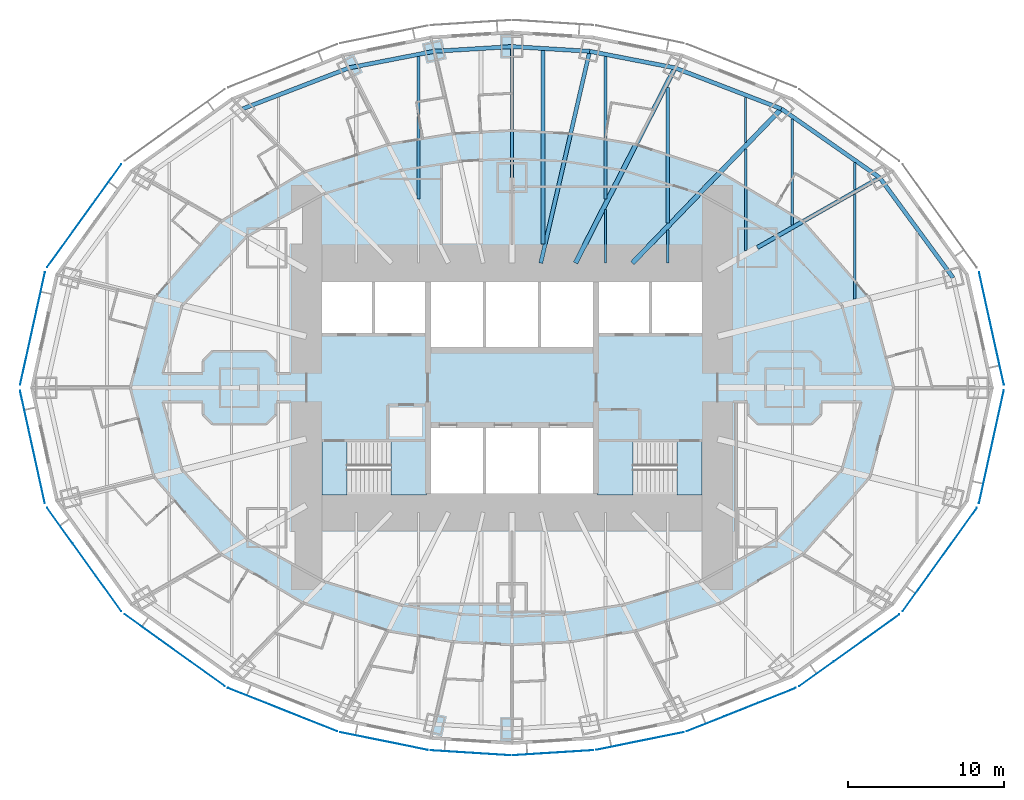
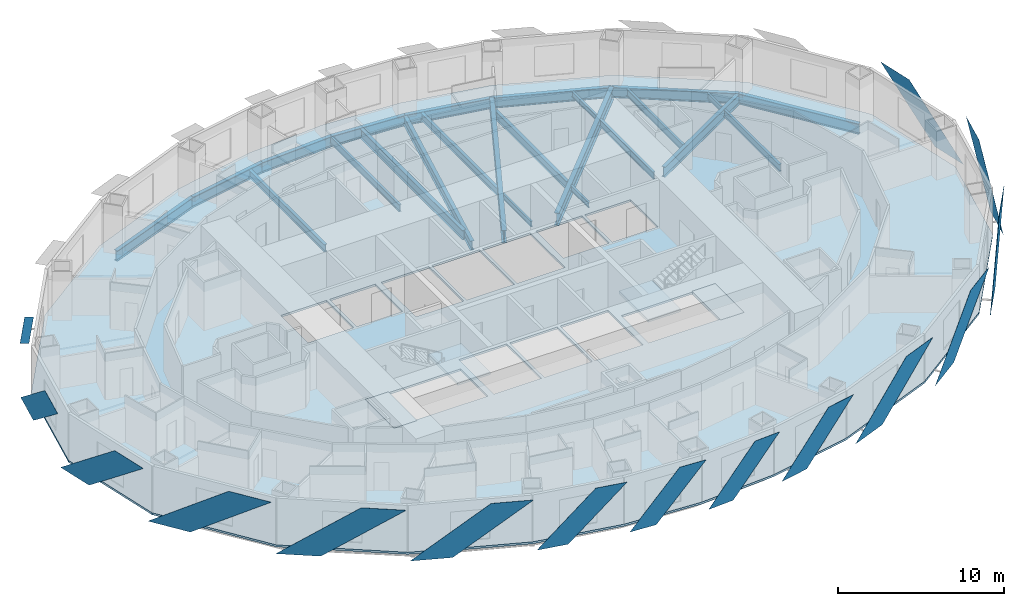
# One storey, part 3 of 15: 24 beams, 15 plates, 5 slabs, 2 elements without a shape of their own.
"""IFC4 building model written with IfcOpenShell, lengths in metres."""

from ifc_helpers import new_model, si_unit, direction, frame, origin, origin_2d, place, context, subcontext, project, spatial, polyline, i_section, outline, extrude, material, layer, layer_set, material_profile, profile_set, type_object, element, aggregate, save


model = new_model("IFC4")

# Units and contexts
model_context = context("Model", 3, precision=1e-05, world=origin(), true_north=direction((0.0, 1.0)))
body_context = subcontext(model_context, "Body", "Model", "MODEL_VIEW")
ifc_project = project(units=[si_unit("LENGTHUNIT", "METRE"), si_unit("AREAUNIT", "SQUARE_METRE"), si_unit("VOLUMEUNIT", "CUBIC_METRE"), si_unit("PLANEANGLEUNIT", "RADIAN"), si_unit("MASSUNIT", "GRAM", prefix="KILO")], contexts=[model_context])

# Site, building, storey
site_placement = place(None, origin())
site = spatial("IfcSite", under=ifc_project, at=site_placement, CompositionType="ELEMENT")
building_placement = place(site_placement, origin())
building = spatial("IfcBuilding", under=site, at=building_placement, Name="Lantaw Convention Tower", CompositionType="ELEMENT")
storey_placement = place(building_placement, frame((0.0, 0.0, 62.199951171875)))
storey = spatial("IfcBuildingStorey", under=building, at=storey_placement, Name="L13", CompositionType="ELEMENT", Elevation=62.199951171875)

# Beams
ifc_material_1 = material(Name="Steel ASTM A992", Category="steel")
ifc_material_profile_1 = material_profile(ifc_material_1, i_section(OverallWidth=0.2666015625, OverallDepth=0.76953125, WebThickness=0.015625, FlangeThickness=0.025390625, FilletRadius=0.0126953125, at=origin_2d()), Name="W30X132")
ifc_profile_set_1 = profile_set([ifc_material_profile_1], Name="Steel ASTM A992")
beam_type_1 = type_object("IfcBeamType", Name="Beam E W30X132", PredefinedType="SPANDREL", material=ifc_profile_set_1)
beam_1_placement = place(storey_placement, frame((28.31787109375, 7.060302734375, -0.53466796875), z_axis=(-0.591270709086, 0.806473154281, 0.0), x_axis=(-0.806473154281, -0.591270709086, 0.0)))
element("IfcBeam", 1, at=beam_1_placement, inside=storey, type_object=beam_type_1, Name="Edge beam 2", PredefinedType="SPANDREL", context=body_context, shape_type="SweptSolid", body=[
    extrude(i_section(OverallWidth=0.2666015625, OverallDepth=0.76953125, WebThickness=0.015625, FlangeThickness=0.025390625, FilletRadius=0.0126953125, at=origin_2d()), origin(), (0.0, 0.0, 1.0), 7.970703125),
])
beam_2_placement = place(storey_placement, frame((23.60498046875, 13.488525390625, -0.53466796875), z_axis=(-0.81942686407, 0.57318375277, 0.0), x_axis=(-0.57318375277, -0.81942686407, 0.0)))
element("IfcBeam", 2, at=beam_2_placement, inside=storey, type_object=beam_type_1, Name="Edge beam 3", PredefinedType="SPANDREL", context=body_context, shape_type="SweptSolid", body=[
    extrude(i_section(OverallWidth=0.2666015625, OverallDepth=0.76953125, WebThickness=0.015625, FlangeThickness=0.025390625, FilletRadius=0.0126953125, at=origin_2d()), origin(), (0.0, 0.0, 1.0), 7.70556640625),
])
beam_3_placement = place(storey_placement, frame((17.290771484375, 17.9052734375, -0.53466796875), z_axis=(-0.933232900641, 0.359271976588, 0.0), x_axis=(-0.359271976588, -0.933232900641, 0.0)))
element("IfcBeam", 3, at=beam_3_placement, inside=storey, type_object=beam_type_1, Name="Edge beam 4", PredefinedType="SPANDREL", context=body_context, shape_type="SweptSolid", body=[
    extrude(i_section(OverallWidth=0.2666015625, OverallDepth=0.76953125, WebThickness=0.015625, FlangeThickness=0.025390625, FilletRadius=0.0126953125, at=origin_2d()), origin(), (0.0, 0.0, 1.0), 7.316650390625),
])
beam_4_placement = place(storey_placement, frame((10.462646484375, 20.533935546875, -0.53466796875), z_axis=(-0.981636565323, 0.190760723474, 0.0), x_axis=(-0.190760723474, -0.981636565323, 0.0)))
element("IfcBeam", 4, at=beam_4_placement, inside=storey, type_object=beam_type_1, Name="Edge beam 5", PredefinedType="SPANDREL", context=body_context, shape_type="SweptSolid", body=[
    extrude(i_section(OverallWidth=0.2666015625, OverallDepth=0.76953125, WebThickness=0.015625, FlangeThickness=0.025390625, FilletRadius=0.0126953125, at=origin_2d()), origin(), (0.0, 0.0, 1.0), 5.578857421875),
])
for number, where, z_axis, x_axis, name in (
    (5, (4.986328125, 21.59814453125, -0.53466796875), (-0.998173858406, 0.060406526096, 0.0), (-0.060406526096, -0.998173858406, 0.0), "Edge beam 6"),
    (6, (0.0, 21.89990234375, -0.53466796875), (-0.998173858406, -0.060406526096, 0.0), (0.060406526096, -0.998173858406, 0.0), "Edge beam 7"),
):
    element("IfcBeam", number, at=place(storey_placement, frame(where, z_axis=z_axis, x_axis=x_axis)), inside=storey, type_object=beam_type_1, Name=name, PredefinedType="SPANDREL", context=body_context, shape_type="SweptSolid", body=[
        extrude(i_section(OverallWidth=0.2666015625, OverallDepth=0.76953125, WebThickness=0.015625, FlangeThickness=0.025390625, FilletRadius=0.0126953125, at=origin_2d()), origin(), (0.0, 0.0, 1.0), 4.995361328125),
    ])
beam_5_placement = place(storey_placement, frame((-4.986328125, 21.59814453125, -0.53466796875), z_axis=(-0.981636565323, -0.190760723474, 0.0), x_axis=(0.190760723474, -0.981636565323, 0.0)))
element("IfcBeam", 7, at=beam_5_placement, inside=storey, type_object=beam_type_1, Name="Edge beam 8", PredefinedType="SPANDREL", context=body_context, shape_type="SweptSolid", body=[
    extrude(i_section(OverallWidth=0.2666015625, OverallDepth=0.76953125, WebThickness=0.015625, FlangeThickness=0.025390625, FilletRadius=0.0126953125, at=origin_2d()), origin(), (0.0, 0.0, 1.0), 5.578857421875),
])
beam_6_placement = place(storey_placement, frame((-10.462646484375, 20.533935546875, -0.53466796875), z_axis=(-0.933232900641, -0.359271976588, 0.0), x_axis=(0.359271976588, -0.933232900641, 0.0)))
element("IfcBeam", 8, at=beam_6_placement, inside=storey, type_object=beam_type_1, Name="Edge beam 9", PredefinedType="SPANDREL", context=body_context, shape_type="SweptSolid", body=[
    extrude(i_section(OverallWidth=0.2666015625, OverallDepth=0.76953125, WebThickness=0.015625, FlangeThickness=0.025390625, FilletRadius=0.0126953125, at=origin_2d()), origin(), (0.0, 0.0, 1.0), 7.316650390625),
])
ifc_material_profile_2 = material_profile(ifc_material_1, i_section(OverallWidth=0.1650390625, OverallDepth=0.52587890625, WebThickness=0.0087890625, FlangeThickness=0.011474609375, FilletRadius=0.0126953125, at=origin_2d()), Name="W21X44")
ifc_profile_set_2 = profile_set([ifc_material_profile_2], Name="Steel ASTM A992")
beam_type_2 = type_object("IfcBeamType", Name="Beam G W21X44", PredefinedType="BEAM", material=ifc_profile_set_2)
beam_7_placement = place(storey_placement, frame((0.0, 13.5, -0.412841796875), z_axis=(0.0, 1.0, 0.0), x_axis=(-1.0, 0.0, 0.0)))
element("IfcBeam", 9, at=beam_7_placement, inside=storey, type_object=beam_type_2, Name="Floor girder on ray 7", PredefinedType="BEAM", context=body_context, shape_type="SweptSolid", body=[
    extrude(i_section(OverallWidth=0.1650390625, OverallDepth=0.52587890625, WebThickness=0.0087890625, FlangeThickness=0.011474609375, FilletRadius=0.0126953125, at=origin_2d()), origin(), (0.0, 0.0, 1.0), 8.39990234375),
])
ifc_material_profile_3 = material_profile(ifc_material_1, i_section(OverallWidth=0.25390625, OverallDepth=0.683349609375, WebThickness=0.012451171875, FlangeThickness=0.01904296875, FilletRadius=0.01513671875, at=origin_2d()), Name="W27X94")
ifc_profile_set_3 = profile_set([ifc_material_profile_3], Name="Steel ASTM A992")
beam_type_3 = type_object("IfcBeamType", Name="Beam G W27X94", PredefinedType="BEAM", material=ifc_profile_set_3)
beam_8_placement = place(storey_placement, frame((1.846923828125, 8.0, -0.49169921875), z_axis=(0.224952773175, 0.97436966796, 0.0), x_axis=(-0.97436966796, 0.224952773175, 0.0)))
element("IfcBeam", 10, at=beam_8_placement, inside=storey, type_object=beam_type_3, Name="Floor girder on ray 6", PredefinedType="BEAM", context=body_context, shape_type="SweptSolid", body=[
    extrude(i_section(OverallWidth=0.25390625, OverallDepth=0.683349609375, WebThickness=0.012451171875, FlangeThickness=0.01904296875, FilletRadius=0.01513671875, at=origin_2d()), origin(), (0.0, 0.0, 1.0), 13.955810546875),
])
ifc_material_profile_4 = material_profile(ifc_material_1, i_section(OverallWidth=0.2666015625, OverallDepth=0.7568359375, WebThickness=0.013916015625, FlangeThickness=0.019287109375, FilletRadius=0.0126953125, at=origin_2d()), Name="W30X108")
ifc_profile_set_4 = profile_set([ifc_material_profile_4], Name="Steel ASTM A992")
beam_type_4 = type_object("IfcBeamType", Name="Beam G W30X108", PredefinedType="BEAM", material=ifc_profile_set_4)
beam_9_placement = place(storey_placement, frame((15.75, 9.0, -0.5283203125), z_axis=(0.868244802791, 0.496136032179, 0.0), x_axis=(-0.496136032179, 0.868244802791, 0.0)))
element("IfcBeam", 11, at=beam_9_placement, inside=storey, type_object=beam_type_4, Name="Floor girder on ray 3", PredefinedType="BEAM", context=body_context, shape_type="SweptSolid", body=[
    extrude(i_section(OverallWidth=0.2666015625, OverallDepth=0.7568359375, WebThickness=0.013916015625, FlangeThickness=0.019287109375, FilletRadius=0.0126953125, at=origin_2d()), origin(), (0.0, 0.0, 1.0), 9.046875),
])
ifc_material_profile_5 = material_profile(ifc_material_1, i_section(OverallWidth=0.307373046875, OverallDepth=0.922119140625, WebThickness=0.018310546875, FlangeThickness=0.030029296875, FilletRadius=0.0126953125, at=origin_2d()), Name="W36X182")
ifc_profile_set_5 = profile_set([ifc_material_profile_5], Name="Steel ASTM A992")
beam_type_5 = type_object("IfcBeamType", Name="Beam G W36X182", PredefinedType="BEAM", material=ifc_profile_set_5)
beam_10_placement = place(storey_placement, frame((7.7255859375, 8.0, -0.61083984375), z_axis=(0.694649884291, 0.719347995239, 0.0), x_axis=(-0.719347995239, 0.694649884291, 0.0)))
element("IfcBeam", 12, at=beam_10_placement, inside=storey, type_object=beam_type_5, Name="Floor girder on ray 4", PredefinedType="BEAM", context=body_context, shape_type="SweptSolid", body=[
    extrude(i_section(OverallWidth=0.307373046875, OverallDepth=0.922119140625, WebThickness=0.018310546875, FlangeThickness=0.030029296875, FilletRadius=0.0126953125, at=origin_2d()), origin(), (0.0, 0.0, 1.0), 13.769775390625),
])
beam_11_placement = place(storey_placement, frame((4.076171875, 8.0, -0.61083984375), z_axis=(0.453997016122, 0.891003203896, 0.0), x_axis=(-0.891003203896, 0.453997016122, 0.0)))
element("IfcBeam", 13, at=beam_11_placement, inside=storey, type_object=beam_type_5, Name="Floor girder on ray 5", PredefinedType="BEAM", context=body_context, shape_type="SweptSolid", body=[
    extrude(i_section(OverallWidth=0.307373046875, OverallDepth=0.922119140625, WebThickness=0.018310546875, FlangeThickness=0.030029296875, FilletRadius=0.0126953125, at=origin_2d()), origin(), (0.0, 0.0, 1.0), 14.067138671875),
])
ifc_material_profile_6 = material_profile(ifc_material_1, i_section(OverallWidth=0.140380859375, OverallDepth=0.40380859375, WebThickness=0.007080078125, FlangeThickness=0.01123046875, FilletRadius=0.01025390625, at=origin_2d()), Name="W16X31")
ifc_profile_set_6 = profile_set([ifc_material_profile_6], Name="Steel ASTM A992")
beam_type_6 = type_object("IfcBeamType", Name="Beam J W16X31", PredefinedType="JOIST", material=ifc_profile_set_6)
beam_12_placement = place(storey_placement, frame((6.0, 8.0, -0.351806640625), z_axis=(0.0, 1.0, 0.0), x_axis=(-1.0, 0.0, 0.0)))
element("IfcBeam", 14, at=beam_12_placement, inside=storey, type_object=beam_type_6, Name="Floor joist", PredefinedType="JOIST", context=body_context, shape_type="SweptSolid", body=[
    extrude(i_section(OverallWidth=0.140380859375, OverallDepth=0.40380859375, WebThickness=0.007080078125, FlangeThickness=0.01123046875, FilletRadius=0.01025390625, at=origin_2d()), origin(), (0.0, 0.0, 1.0), 3.437255859375),
])
beam_13_placement = place(storey_placement, frame((10.0, 8.0, -0.351806640625), z_axis=(0.0, 1.0, 0.0), x_axis=(-1.0, 0.0, 0.0)))
element("IfcBeam", 15, at=beam_13_placement, inside=storey, type_object=beam_type_6, Name="Floor joist", PredefinedType="JOIST", context=body_context, shape_type="SweptSolid", body=[
    extrude(i_section(OverallWidth=0.140380859375, OverallDepth=0.40380859375, WebThickness=0.007080078125, FlangeThickness=0.01123046875, FilletRadius=0.01025390625, at=origin_2d()), origin(), (0.0, 0.0, 1.0), 2.134033203125),
])
beam_14_placement = place(storey_placement, frame((15.0, 15.754150390625, -0.351806640625), z_axis=(0.0, 1.0, 0.0), x_axis=(-1.0, 0.0, 0.0)))
element("IfcBeam", 16, at=beam_14_placement, inside=storey, type_object=beam_type_6, Name="Floor joist", PredefinedType="JOIST", context=body_context, shape_type="SweptSolid", body=[
    extrude(i_section(OverallWidth=0.140380859375, OverallDepth=0.40380859375, WebThickness=0.007080078125, FlangeThickness=0.01123046875, FilletRadius=0.01025390625, at=origin_2d()), origin(), (0.0, 0.0, 1.0), 2.89013671875),
])
beam_15_placement = place(storey_placement, frame((22.0, 12.72509765625, -0.351806640625), z_axis=(0.0, 1.0, 0.0), x_axis=(-1.0, 0.0, 0.0)))
element("IfcBeam", 17, at=beam_15_placement, inside=storey, type_object=beam_type_6, Name="Floor joist", PredefinedType="JOIST", context=body_context, shape_type="SweptSolid", body=[
    extrude(i_section(OverallWidth=0.140380859375, OverallDepth=0.40380859375, WebThickness=0.007080078125, FlangeThickness=0.01123046875, FilletRadius=0.01025390625, at=origin_2d()), origin(), (0.0, 0.0, 1.0), 1.723388671875),
])
ifc_material_profile_7 = material_profile(ifc_material_1, i_section(OverallWidth=0.1650390625, OverallDepth=0.52587890625, WebThickness=0.0087890625, FlangeThickness=0.011474609375, FilletRadius=0.0126953125, at=origin_2d()), Name="W21X44")
ifc_profile_set_7 = profile_set([ifc_material_profile_7], Name="Steel ASTM A992")
beam_type_7 = type_object("IfcBeamType", Name="Beam J W21X44", PredefinedType="JOIST", material=ifc_profile_set_7)
beam_16_placement = place(storey_placement, frame((15.0, 8.803955078125, -0.412841796875), z_axis=(0.0, 1.0, 0.0), x_axis=(-1.0, 0.0, 0.0)))
element("IfcBeam", 18, at=beam_16_placement, inside=storey, type_object=beam_type_7, Name="Floor joist", PredefinedType="JOIST", context=body_context, shape_type="SweptSolid", body=[
    extrude(i_section(OverallWidth=0.1650390625, OverallDepth=0.52587890625, WebThickness=0.0087890625, FlangeThickness=0.011474609375, FilletRadius=0.0126953125, at=origin_2d()), origin(), (0.0, 0.0, 1.0), 6.5078125),
])
beam_17_placement = place(storey_placement, frame((18.0, 10.439208984375, -0.412841796875), z_axis=(0.0, 1.0, 0.0), x_axis=(-1.0, 0.0, 0.0)))
element("IfcBeam", 19, at=beam_17_placement, inside=storey, type_object=beam_type_7, Name="Floor joist", PredefinedType="JOIST", context=body_context, shape_type="SweptSolid", body=[
    extrude(i_section(OverallWidth=0.1650390625, OverallDepth=0.52587890625, WebThickness=0.0087890625, FlangeThickness=0.011474609375, FilletRadius=0.0126953125, at=origin_2d()), origin(), (0.0, 0.0, 1.0), 6.80712890625),
])
beam_18_placement = place(storey_placement, frame((22.0, 5.693359375, -0.412841796875), z_axis=(0.0, 1.0, 0.0), x_axis=(-1.0, 0.0, 0.0)))
element("IfcBeam", 20, at=beam_18_placement, inside=storey, type_object=beam_type_7, Name="Floor joist", PredefinedType="JOIST", context=body_context, shape_type="SweptSolid", body=[
    extrude(i_section(OverallWidth=0.1650390625, OverallDepth=0.52587890625, WebThickness=0.0087890625, FlangeThickness=0.011474609375, FilletRadius=0.0126953125, at=origin_2d()), origin(), (0.0, 0.0, 1.0), 6.724609375),
])
ifc_material_profile_8 = material_profile(ifc_material_1, i_section(OverallWidth=0.2099609375, OverallDepth=0.535888671875, WebThickness=0.010986328125, FlangeThickness=0.017333984375, FilletRadius=0.012939453125, at=origin_2d()), Name="W21X68")
ifc_profile_set_8 = profile_set([ifc_material_profile_8], Name="Steel ASTM A992")
beam_type_8 = type_object("IfcBeamType", Name="Beam J W21X68", PredefinedType="JOIST", material=ifc_profile_set_8)
for number, where, z_axis, x_axis, name in (
    (21, (-6.0, 12.1142578125, -0.41796875), (0.0, 1.0, 0.0), (-1.0, 0.0, 0.0), "Floor joist"),
    (22, (6.0, 12.1142578125, -0.41796875), (0.0, 1.0, 0.0), (-1.0, 0.0, 0.0), "Floor joist"),
):
    element("IfcBeam", number, at=place(storey_placement, frame(where, z_axis=z_axis, x_axis=x_axis)), inside=storey, type_object=beam_type_8, Name=name, PredefinedType="JOIST", context=body_context, shape_type="SweptSolid", body=[
        extrude(i_section(OverallWidth=0.2099609375, OverallDepth=0.535888671875, WebThickness=0.010986328125, FlangeThickness=0.017333984375, FilletRadius=0.012939453125, at=origin_2d()), origin(), (0.0, 0.0, 1.0), 9.15087890625),
    ])
ifc_material_profile_9 = material_profile(ifc_material_1, i_section(OverallWidth=0.227783203125, OverallDepth=0.60205078125, WebThickness=0.010498046875, FlangeThickness=0.014892578125, FilletRadius=0.012939453125, at=origin_2d()), Name="W24X68")
ifc_profile_set_9 = profile_set([ifc_material_profile_9], Name="Steel ASTM A992")
beam_type_9 = type_object("IfcBeamType", Name="Beam J W24X68", PredefinedType="JOIST", material=ifc_profile_set_9)
beam_19_placement = place(storey_placement, frame((10.0, 10.576416015625, -0.450927734375), z_axis=(0.0, 1.0, 0.0), x_axis=(-1.0, 0.0, 0.0)))
element("IfcBeam", 23, at=beam_19_placement, inside=storey, type_object=beam_type_9, Name="Floor joist", PredefinedType="JOIST", context=body_context, shape_type="SweptSolid", body=[
    extrude(i_section(OverallWidth=0.227783203125, OverallDepth=0.60205078125, WebThickness=0.010498046875, FlangeThickness=0.014892578125, FilletRadius=0.012939453125, at=origin_2d()), origin(), (0.0, 0.0, 1.0), 8.711181640625),
])
ifc_material_profile_10 = material_profile(ifc_material_1, i_section(OverallWidth=0.25390625, OverallDepth=0.700927734375, WebThickness=0.015380859375, FlangeThickness=0.02783203125, FilletRadius=0.01513671875, at=origin_2d()), Name="W27X129")
ifc_profile_set_10 = profile_set([ifc_material_profile_10], Name="Steel ASTM A992")
beam_type_10 = type_object("IfcBeamType", Name="Beam J W27X129", PredefinedType="JOIST", material=ifc_profile_set_10)
beam_20_placement = place(storey_placement, frame((2.0, 9.2275390625, -0.50048828125), z_axis=(0.0, 1.0, 0.0), x_axis=(-1.0, 0.0, 0.0)))
element("IfcBeam", 24, at=beam_20_placement, inside=storey, type_object=beam_type_10, Name="Floor joist", PredefinedType="JOIST", context=body_context, shape_type="SweptSolid", body=[
    extrude(i_section(OverallWidth=0.25390625, OverallDepth=0.700927734375, WebThickness=0.015380859375, FlangeThickness=0.02783203125, FilletRadius=0.01513671875, at=origin_2d()), origin(), (0.0, 0.0, 1.0), 12.417724609375),
])

# Slab
ifc_material_2 = material(Name="Concrete C35/45", Category="concrete")
ifc_layer_1 = layer(ifc_material_2, 0.14990234375)
ifc_layer_set_1 = layer_set([ifc_layer_1], Name="Floor slab 150")
slab_type_1 = type_object("IfcSlabType", Name="Floor slab 150", PredefinedType="FLOOR", material=ifc_layer_set_1)
slab_1_placement = place(storey_placement, frame((0.0, 0.0, -0.14990234375)))
element("IfcSlab", 25, at=slab_1_placement, inside=storey, type_object=slab_type_1, Name="L13 floor slab", PredefinedType="FLOOR", context=body_context, shape_type="SweptSolid", body=[
    extrude(outline(polyline([(29.315185546875, -7.29541015625), (30.923095703125, 0.0), (29.315185546875, 7.29541015625), (24.50634765625, 13.98046875), (18.018798828125, 18.630126953125), (10.9404296875, 21.44189453125), (5.223876953125, 22.59521484375), (0.0, 22.9248046875), (-5.223876953125, 22.59521484375), (-10.9404296875, 21.44189453125), (-18.018798828125, 18.630126953125), (-24.50634765625, 13.98046875), (-29.315185546875, 7.29541015625), (-30.923095703125, 0.0), (-29.315185546875, -7.29541015625), (-24.50634765625, -13.98046875), (-18.018798828125, -18.630126953125), (-10.9404296875, -21.44189453125), (-5.223876953125, -22.59521484375), (0.0, -22.9248046875), (5.223876953125, -22.59521484375), (10.9404296875, -21.44189453125), (18.018798828125, -18.630126953125), (24.50634765625, -13.98046875), (29.315185546875, -7.29541015625)]), holes=[polyline([(-5.60009765625, -3.5), (-12.199951171875, -3.5), (-12.199951171875, -6.800048828125), (-5.60009765625, -6.800048828125), (-5.60009765625, -3.5)]), polyline([(-1.86669921875, -6.800048828125), (-1.86669921875, -2.60009765625), (-5.199951171875, -2.60009765625), (-5.199951171875, -6.800048828125), (-1.86669921875, -6.800048828125)]), polyline([(-1.86669921875, 2.60009765625), (-1.86669921875, 6.800048828125), (-5.199951171875, 6.800048828125), (-5.199951171875, 2.60009765625), (-1.86669921875, 2.60009765625)]), polyline([(1.666748046875, 6.800048828125), (-1.666748046875, 6.800048828125), (-1.666748046875, 2.60009765625), (1.666748046875, 2.60009765625), (1.666748046875, 6.800048828125)]), polyline([(-9.0, 3.5), (-9.0, 6.800048828125), (-12.199951171875, 6.800048828125), (-12.199951171875, 3.5), (-9.0, 3.5)]), polyline([(-5.60009765625, 3.5), (-5.60009765625, 6.800048828125), (-8.800048828125, 6.800048828125), (-8.800048828125, 3.5), (-5.60009765625, 3.5)]), polyline([(12.199951171875, -3.5), (5.60009765625, -3.5), (5.60009765625, -6.800048828125), (12.199951171875, -6.800048828125), (12.199951171875, -3.5)]), polyline([(1.666748046875, -6.800048828125), (1.666748046875, -2.60009765625), (-1.666748046875, -2.60009765625), (-1.666748046875, -6.800048828125), (1.666748046875, -6.800048828125)]), polyline([(5.199951171875, -6.800048828125), (5.199951171875, -2.60009765625), (1.86669921875, -2.60009765625), (1.86669921875, -6.800048828125), (5.199951171875, -6.800048828125)]), polyline([(5.199951171875, 6.800048828125), (1.86669921875, 6.800048828125), (1.86669921875, 2.60009765625), (5.199951171875, 2.60009765625), (5.199951171875, 6.800048828125)]), polyline([(8.800048828125, 3.5), (8.800048828125, 6.800048828125), (5.60009765625, 6.800048828125), (5.60009765625, 3.5), (8.800048828125, 3.5)]), polyline([(12.199951171875, 3.5), (12.199951171875, 6.800048828125), (9.0, 6.800048828125), (9.0, 3.5), (12.199951171875, 3.5)])]), origin(), (0.0, 0.0, 1.0), 0.14990234375),
])

# Plates
ifc_material_3 = material(Name="Perforated aluminium sheet, pale silver finish", Category="aluminium")
ifc_layer_2 = layer(ifc_material_3, 0.006103515625)
ifc_layer_set_2 = layer_set([ifc_layer_2], Name="Perforated aluminium solar SCREEN panel")
plate_type = type_object("IfcPlateType", Name="Perforated aluminium solar SCREEN panel", PredefinedType="SHEET", material=ifc_layer_set_2)
plate_1_placement = place(storey_placement, frame((31.5810546875, 0.17919921875, -0.175048828125), z_axis=(-0.97655943558, -0.215247921852, 3.0295023e-05), x_axis=(-0.215247921951, 0.976559436028, 3.12e-10)))
element("IfcPlate", 26, at=plate_1_placement, inside=storey, type_object=plate_type, Name="Solar SCREEN panel", PredefinedType="SHEET", context=body_context, shape_type="SweptSolid", body=[
    extrude(outline(polyline([(0.0, 0.0), (2.551002212329069, 3.3881317890172014e-21), (7.402498252985418, -3.739990233781388), (4.851734458487411, -3.7399902353733405), (0.0, 0.0)])), origin(), (0.0, 0.0, -1.0), 0.006103515625),
])
plate_2_placement = place(storey_placement, frame((-25.0810546875, 14.34765625, -0.175048828125), z_axis=(0.811791382613, -0.583947558463, 9.019268e-06), x_axis=(-0.583947558486, -0.811791382646, 0.0)))
element("IfcPlate", 27, at=plate_2_placement, inside=storey, type_object=plate_type, Name="Solar SCREEN panel", PredefinedType="SHEET", context=body_context, shape_type="SweptSolid", body=[
    extrude(outline(polyline([(0.0, 0.0), (2.809541672291133, 0.0), (8.163093158837512, -3.739990234527119), (5.353551486546379, -3.739990234527119), (0.0, 0.0)])), origin(), (0.0, 0.0, -1.0), 0.006103515625),
])
plate_3_placement = place(storey_placement, frame((-29.98779296875, 7.408203125, -0.175048828125), z_axis=(-0.97655943558, 0.215247921852, 3.0295023e-05), x_axis=(-0.215247921951, -0.976559436028, -3.12e-10)))
element("IfcPlate", 28, at=plate_3_placement, inside=storey, type_object=plate_type, Name="Solar SCREEN panel", PredefinedType="SHEET", context=body_context, shape_type="SweptSolid", body=[
    extrude(outline(polyline([(0.0, 0.0), (2.5507637944980077, 6.776263578034403e-21), (7.402498250651261, 3.7399902384013473), (4.851496038322192, 3.739990236809246), (0.0, 0.0)])), origin(), (0.0, 0.0, -1.0), 0.006103515625),
])
plate_4_placement = place(storey_placement, frame((-31.5810546875, -0.17919921875, -0.175048828125), z_axis=(0.97655943558, 0.215247921852, 3.0295023e-05), x_axis=(0.215247921951, -0.976559436028, 3.12e-10)))
element("IfcPlate", 29, at=plate_4_placement, inside=storey, type_object=plate_type, Name="Solar SCREEN panel", PredefinedType="SHEET", context=body_context, shape_type="SweptSolid", body=[
    extrude(outline(polyline([(0.0, 0.0), (2.551002212329069, 3.3881317890172014e-21), (7.402498252985418, -3.739990233781388), (4.851734458487411, -3.7399902353733405), (0.0, 0.0)])), origin(), (0.0, 0.0, -1.0), 0.006103515625),
])
plate_5_placement = place(storey_placement, frame((-29.847900390625, -7.720947265625, -0.175048828125), z_axis=(-0.811791382613, -0.583947558463, 9.019268e-06), x_axis=(0.583947558486, -0.811791382646, 0.0)))
element("IfcPlate", 30, at=plate_5_placement, inside=storey, type_object=plate_type, Name="Solar SCREEN panel", PredefinedType="SHEET", context=body_context, shape_type="SweptSolid", body=[
    extrude(outline(polyline([(0.0, 0.0), (2.809541672291133, 0.0), (8.163093158837512, 3.739990234527119), (5.353551486546379, 3.739990234527119), (0.0, 0.0)])), origin(), (0.0, 0.0, -1.0), 0.006103515625),
])
plate_6_placement = place(storey_placement, frame((-24.872314453125, -14.555908203125, -0.175048828125), z_axis=(-0.582561421998, -0.812786681331, 1.5819417e-05), x_axis=(0.812786681433, -0.582561422071, 0.0)))
element("IfcPlate", 31, at=plate_6_placement, inside=storey, type_object=plate_type, Name="Solar SCREEN panel", PredefinedType="SHEET", context=body_context, shape_type="SweptSolid", body=[
    extrude(outline(polyline([(0.0, 0.0), (2.721095180812288, 3.3881317890172014e-21), (7.903118572410756, 3.739990234842974), (5.182023391598468, 3.739990234842974), (0.0, 0.0)])), origin(), (0.0, 0.0, -1.0), 0.006103515625),
])
plate_7_placement = place(storey_placement, frame((-18.232177734375, -19.278076171875, -0.175048828125), z_axis=(0.369183532846, 0.929356508016, 9.163296e-06), x_axis=(0.929356508055, -0.369183532862, 0.0)))
element("IfcPlate", 32, at=plate_7_placement, inside=storey, type_object=plate_type, Name="Solar SCREEN panel", PredefinedType="SHEET", context=body_context, shape_type="SweptSolid", body=[
    extrude(outline(polyline([(0.0, 0.0), (2.594936467166582, -1.6940658945086007e-21), (7.5321069917580825, -3.739990234532016), (4.937170524591499, -3.739990234532016), (0.0, 0.0)])), origin(), (0.0, 0.0, -1.0), 0.006103515625),
])
plate_8_placement = place(storey_placement, frame((-11.03271484375, -22.117919921875, -0.175048828125), z_axis=(0.197781876197, 0.980246055561, 2.418535e-06), x_axis=(0.980246055563, -0.197781876198, 1.46e-10)))
element("IfcPlate", 33, at=plate_8_placement, inside=storey, type_object=plate_type, Name="Solar SCREEN panel", PredefinedType="SHEET", context=body_context, shape_type="SweptSolid", body=[
    extrude(outline(polyline([(0.0, 0.0), (1.9867801772236329, -3.1763735522036263e-22), (5.743587245978565, -3.7399902335493134), (3.7568553553458006, -3.739990234128105), (0.0, 0.0)])), origin(), (0.0, 0.0, -1.0), 0.006103515625),
])
plate_9_placement = place(storey_placement, frame((-5.221923828125, -23.27783203125, -0.175048828125), z_axis=(0.062923905251, 0.998018327468, 1.3605496e-05), x_axis=(0.998018327561, -0.062923905257, 9.3e-10)))
element("IfcPlate", 34, at=plate_9_placement, inside=storey, type_object=plate_type, Name="Solar SCREEN panel", PredefinedType="SHEET", context=body_context, shape_type="SweptSolid", body=[
    extrude(outline(polyline([(0.0, 0.0), (1.7828375409377817, -2.117582368135751e-22), (5.143985963027618, -3.739990229938699), (3.3611637843713935, -3.7399902332537565), (0.0, 0.0)])), origin(), (0.0, 0.0, -1.0), 0.006103515625),
])
plate_10_placement = place(storey_placement, frame((0.088134765625, -23.6015625, -0.175048828125), z_axis=(0.062923905251, -0.998018327468, 1.3605496e-05), x_axis=(0.998018327561, 0.062923905257, -9.3e-10)))
element("IfcPlate", 35, at=plate_10_placement, inside=storey, type_object=plate_type, Name="Solar SCREEN panel", PredefinedType="SHEET", context=body_context, shape_type="SweptSolid", body=[
    extrude(outline(polyline([(0.0, 0.0), (1.782822178656225, -2.117582368135751e-22), (5.143985956073316, 3.7399902395036517), (3.3611484151355353, 3.7399902361885653), (0.0, 0.0)])), origin(), (0.0, 0.0, -1.0), 0.006103515625),
])
plate_11_placement = place(storey_placement, frame((5.402587890625, -23.25390625, -0.175048828125), z_axis=(0.197781876197, -0.980246055561, 2.418535e-06), x_axis=(0.980246055563, 0.197781876198, -1.46e-10)))
element("IfcPlate", 36, at=plate_11_placement, inside=storey, type_object=plate_type, Name="Solar SCREEN panel", PredefinedType="SHEET", context=body_context, shape_type="SweptSolid", body=[
    extrude(outline(polyline([(0.0, 0.0), (1.9867318906327642, 1.0587911840678754e-22), (5.743587244888999, 3.7399902352225842), (3.7568070676653664, 3.7399902346437783), (0.0, 0.0)])), origin(), (0.0, 0.0, -1.0), 0.006103515625),
])
plate_12_placement = place(storey_placement, frame((11.232177734375, -22.058837890625, -0.175048828125), z_axis=(0.369183532846, -0.929356508016, 9.163296e-06), x_axis=(0.929356508055, 0.369183532862, 0.0)))
element("IfcPlate", 37, at=plate_12_placement, inside=storey, type_object=plate_type, Name="Solar SCREEN panel", PredefinedType="SHEET", context=body_context, shape_type="SweptSolid", body=[
    extrude(outline(polyline([(0.0, 0.0), (2.594936467166582, 1.6940658945086007e-21), (7.5321069917580825, 3.739990234532016), (4.937170524591499, 3.739990234532016), (0.0, 0.0)])), origin(), (0.0, 0.0, -1.0), 0.006103515625),
])
plate_13_placement = place(storey_placement, frame((18.44873046875, -19.159912109375, -0.175048828125), z_axis=(-0.582561421998, 0.812786681331, 1.5819417e-05), x_axis=(0.812786681433, 0.582561422071, 0.0)))
element("IfcPlate", 38, at=plate_13_placement, inside=storey, type_object=plate_type, Name="Solar SCREEN panel", PredefinedType="SHEET", context=body_context, shape_type="SweptSolid", body=[
    extrude(outline(polyline([(0.0, 0.0), (2.721095180812288, -3.3881317890172014e-21), (7.903118572410756, -3.739990234842974), (5.182023391598468, -3.739990234842974), (0.0, 0.0)])), origin(), (0.0, 0.0, -1.0), 0.006103515625),
])
plate_14_placement = place(storey_placement, frame((25.0810546875, -14.34765625, -0.175048828125), z_axis=(-0.811791382613, 0.583947558463, 9.019268e-06), x_axis=(0.583947558486, 0.811791382646, 0.0)))
element("IfcPlate", 39, at=plate_14_placement, inside=storey, type_object=plate_type, Name="Solar SCREEN panel", PredefinedType="SHEET", context=body_context, shape_type="SweptSolid", body=[
    extrude(outline(polyline([(0.0, 0.0), (2.809541672291133, 0.0), (8.163093158837512, -3.739990234527119), (5.353551486546379, -3.739990234527119), (0.0, 0.0)])), origin(), (0.0, 0.0, -1.0), 0.006103515625),
])
plate_15_placement = place(storey_placement, frame((29.98779296875, -7.408203125, -0.175048828125), z_axis=(0.97655943558, -0.215247921852, 3.0295023e-05), x_axis=(0.215247921951, 0.976559436028, -3.12e-10)))
element("IfcPlate", 40, at=plate_15_placement, inside=storey, type_object=plate_type, Name="Solar SCREEN panel", PredefinedType="SHEET", context=body_context, shape_type="SweptSolid", body=[
    extrude(outline(polyline([(0.0, 0.0), (2.5507637944980077, 6.776263578034403e-21), (7.402498250651261, 3.7399902384013473), (4.851496038322192, 3.739990236809246), (0.0, 0.0)])), origin(), (0.0, 0.0, -1.0), 0.006103515625),
])

# Stair, slabs
stair_type = type_object("IfcStairType", Name="Exit stair 1500 riser 163.64 in 2 flights", PredefinedType="HALF_TURN_STAIR", material=ifc_material_2)
stair_1_placement = place(storey_placement, origin())
stair_1 = element("IfcStair", 41, at=stair_1_placement, inside=storey, type_object=stair_type, Name="Exit stair S1 L13", PredefinedType="HALF_TURN_STAIR")
ifc_layer_3 = layer(ifc_material_2, 0.199951171875)
ifc_layer_set_3 = layer_set([ifc_layer_3], Name="Stair landing 200")
slab_type_2 = type_object("IfcSlabType", Name="Stair landing 200", PredefinedType="LANDING", material=ifc_layer_set_3)
slab_2_placement = place(storey_placement, frame((0.0, 0.0, -0.199951171875)))
slab_2 = element("IfcSlab", 42, at=slab_2_placement, type_object=slab_type_2, Name="S1 landing 1", PredefinedType="LANDING", context=body_context, shape_type="SweptSolid", body=[
    extrude(outline(polyline([(-12.199951171875, -6.89990234375), (-10.580078125, -6.89990234375), (-10.580078125, -3.39990234375), (-12.199951171875, -3.39990234375), (-12.199951171875, -6.89990234375)])), origin(), (0.0, 0.0, 1.0), 0.199951171875),
])
slab_3_placement = place(storey_placement, frame((0.0, 0.0, 1.60009765625)))
slab_3 = element("IfcSlab", 43, at=slab_3_placement, type_object=slab_type_2, Name="S1 landing 2", PredefinedType="LANDING", context=body_context, shape_type="SweptSolid", body=[
    extrude(outline(polyline([(-7.780029296875, -6.89990234375), (-5.5, -6.89990234375), (-5.5, -3.39990234375), (-7.780029296875, -3.39990234375), (-7.780029296875, -6.89990234375)])), origin(), (0.0, 0.0, 1.0), 0.199951171875),
])
aggregate(stair_1, [slab_2, slab_3])

stair_2_placement = place(storey_placement, origin())
stair_2 = element("IfcStair", 44, at=stair_2_placement, inside=storey, type_object=stair_type, Name="Exit stair S2 L13", PredefinedType="HALF_TURN_STAIR")
slab_4_placement = place(storey_placement, frame((0.0, 0.0, -0.199951171875)))
slab_4 = element("IfcSlab", 45, at=slab_4_placement, type_object=slab_type_2, Name="S2 landing 1", PredefinedType="LANDING", context=body_context, shape_type="SweptSolid", body=[
    extrude(outline(polyline([(10.580078125, -6.89990234375), (12.199951171875, -6.89990234375), (12.199951171875, -3.39990234375), (10.580078125, -3.39990234375), (10.580078125, -6.89990234375)])), origin(), (0.0, 0.0, 1.0), 0.199951171875),
])
slab_5_placement = place(storey_placement, frame((0.0, 0.0, 1.60009765625)))
slab_5 = element("IfcSlab", 46, at=slab_5_placement, type_object=slab_type_2, Name="S2 landing 2", PredefinedType="LANDING", context=body_context, shape_type="SweptSolid", body=[
    extrude(outline(polyline([(5.5, -6.89990234375), (7.780029296875, -6.89990234375), (7.780029296875, -3.39990234375), (5.5, -3.39990234375), (5.5, -6.89990234375)])), origin(), (0.0, 0.0, 1.0), 0.199951171875),
])
aggregate(stair_2, [slab_4, slab_5])

save(model, "model.ifc")
